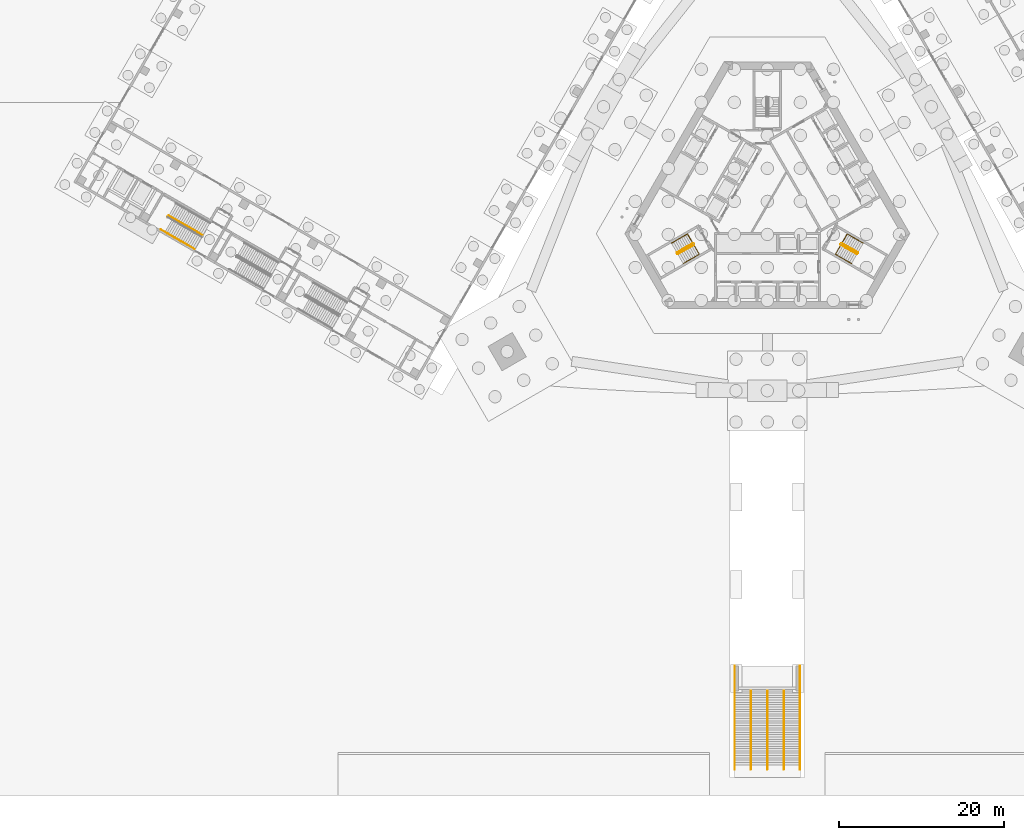
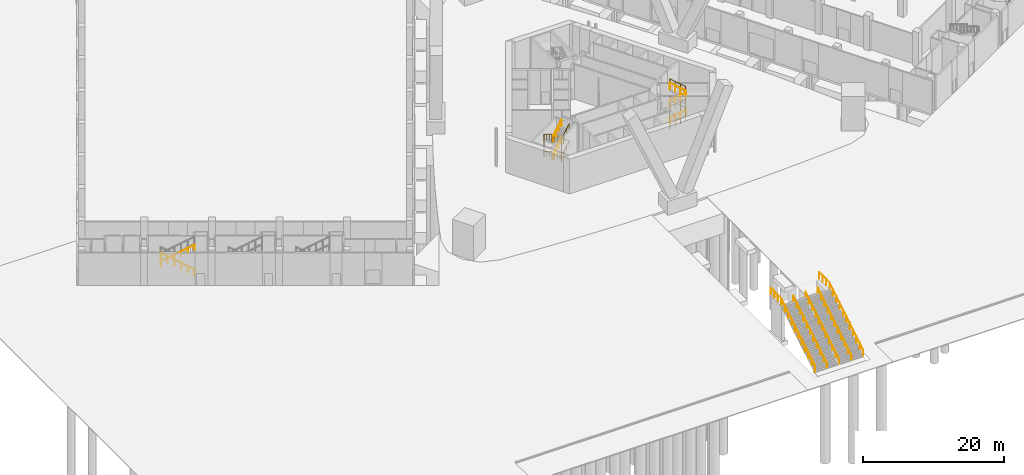
# One storey, part 29 of 38: 17 railings.
"""IFC4 building model written with IfcOpenShell, lengths in metres."""

from ifc_helpers import new_model, si_unit, direction, frame, origin, origin_2d, place, context, subcontext, project, spatial, circle, extrude, material, type_object, element, save


model = new_model("IFC4")

# Units and contexts
model_context = context("Model", 3, precision=1e-05, world=origin(), true_north=direction((0.0, 1.0)))
body_context = subcontext(model_context, "Body", "Model", "MODEL_VIEW")
ifc_project = project(units=[si_unit("LENGTHUNIT", "METRE"), si_unit("AREAUNIT", "SQUARE_METRE"), si_unit("VOLUMEUNIT", "CUBIC_METRE"), si_unit("PLANEANGLEUNIT", "RADIAN"), si_unit("MASSUNIT", "GRAM", prefix="KILO")], contexts=[model_context])

# Site, building, storey
site_placement = place(None, origin())
site = spatial("IfcSite", under=ifc_project, at=site_placement, CompositionType="ELEMENT")
building_placement = place(site_placement, origin())
building = spatial("IfcBuilding", under=site, at=building_placement, Name="Mestral Congress Tower", CompositionType="ELEMENT")
storey_placement = place(building_placement, origin())
storey = spatial("IfcBuildingStorey", under=building, at=storey_placement, Name="L00", CompositionType="ELEMENT", Elevation=0.0)

# Railings
ifc_material_1 = material(Name="Steel balustrade", Category="steel")
railing_type_1 = type_object("IfcRailingType", Name="Podium broad stair guard 1100", PredefinedType="GUARDRAIL", material=ifc_material_1)
railing_1_placement = place(storey_placement, frame((-3.949951171875, -68.80810546875, 0.17138671875)))
element("IfcRailing", 1, at=railing_1_placement, inside=storey, type_object=railing_type_1, Name="Broad stair guard west", PredefinedType="GUARDRAIL", context=body_context, shape_type="SweptSolid", body=[
    extrude(circle(Radius=0.02392578125, at=origin_2d()), frame((0.0, 0.0, 1.076171875), z_axis=(0.0, 0.852850111455, 0.522155807582), x_axis=(-1.0, 0.0, 0.0)), (0.0, 0.0, 1.0), 11.16259765625),
    extrude(circle(Radius=0.02392578125, at=origin_2d()), frame((0.0, 9.52001953125, 6.90478515625), z_axis=(0.0, 1.0, 0.0), x_axis=(-1.0, 0.0, 0.0)), (0.0, 0.0, 1.0), 3.0),
    extrude(circle(Radius=0.02099609375, at=origin_2d()), origin(), (0.0, 0.0, 1.0), 1.052001953125),
    extrude(circle(Radius=0.02099609375, at=origin_2d()), frame((0.0, 0.951904296875, 0.582763671875)), (0.0, 0.0, 1.0), 1.052001953125),
    extrude(circle(Radius=0.02099609375, at=origin_2d()), frame((0.0, 1.904052734375, 1.165771484375)), (0.0, 0.0, 1.0), 1.052001953125),
    extrude(circle(Radius=0.02099609375, at=origin_2d()), frame((0.0, 2.85595703125, 1.74853515625)), (0.0, 0.0, 1.0), 1.052001953125),
    extrude(circle(Radius=0.02099609375, at=origin_2d()), frame((0.0, 3.80810546875, 2.33154296875)), (0.0, 0.0, 1.0), 1.052001953125),
    extrude(circle(Radius=0.02099609375, at=origin_2d()), frame((0.0, 4.760009765625, 2.914306640625)), (0.0, 0.0, 1.0), 1.052001953125),
    extrude(circle(Radius=0.02099609375, at=origin_2d()), frame((0.0, 5.7119140625, 3.4970703125)), (0.0, 0.0, 1.0), 1.052001953125),
    extrude(circle(Radius=0.02099609375, at=origin_2d()), frame((0.0, 6.6640625, 4.080078125)), (0.0, 0.0, 1.0), 1.052001953125),
    extrude(circle(Radius=0.02099609375, at=origin_2d()), frame((0.0, 7.615966796875, 4.662841796875)), (0.0, 0.0, 1.0), 1.052001953125),
    extrude(circle(Radius=0.02099609375, at=origin_2d()), frame((0.0, 8.568115234375, 5.245849609375)), (0.0, 0.0, 1.0), 1.052001953125),
    extrude(circle(Radius=0.02099609375, at=origin_2d()), frame((0.0, 9.52001953125, 5.82861328125)), (0.0, 0.0, 1.0), 1.052001953125),
    extrude(circle(Radius=0.02099609375, at=origin_2d()), frame((0.0, 10.52001953125, 5.82861328125)), (0.0, 0.0, 1.0), 1.052001953125),
    extrude(circle(Radius=0.02099609375, at=origin_2d()), frame((0.0, 11.52001953125, 5.82861328125)), (0.0, 0.0, 1.0), 1.052001953125),
    extrude(circle(Radius=0.02099609375, at=origin_2d()), frame((0.0, 12.52001953125, 5.82861328125)), (0.0, 0.0, 1.0), 1.052001953125),
])
railing_2_placement = place(storey_placement, frame((3.949951171875, -68.80810546875, 0.17138671875)))
element("IfcRailing", 2, at=railing_2_placement, inside=storey, type_object=railing_type_1, Name="Broad stair guard east", PredefinedType="GUARDRAIL", context=body_context, shape_type="SweptSolid", body=[
    extrude(circle(Radius=0.02392578125, at=origin_2d()), frame((0.0, 0.0, 1.076171875), z_axis=(0.0, 0.852850111455, 0.522155807582), x_axis=(-1.0, 0.0, 0.0)), (0.0, 0.0, 1.0), 11.16259765625),
    extrude(circle(Radius=0.02392578125, at=origin_2d()), frame((0.0, 9.52001953125, 6.90478515625), z_axis=(0.0, 1.0, 0.0), x_axis=(-1.0, 0.0, 0.0)), (0.0, 0.0, 1.0), 3.0),
    extrude(circle(Radius=0.02099609375, at=origin_2d()), origin(), (0.0, 0.0, 1.0), 1.052001953125),
    extrude(circle(Radius=0.02099609375, at=origin_2d()), frame((0.0, 0.951904296875, 0.582763671875)), (0.0, 0.0, 1.0), 1.052001953125),
    extrude(circle(Radius=0.02099609375, at=origin_2d()), frame((0.0, 1.904052734375, 1.165771484375)), (0.0, 0.0, 1.0), 1.052001953125),
    extrude(circle(Radius=0.02099609375, at=origin_2d()), frame((0.0, 2.85595703125, 1.74853515625)), (0.0, 0.0, 1.0), 1.052001953125),
    extrude(circle(Radius=0.02099609375, at=origin_2d()), frame((0.0, 3.80810546875, 2.33154296875)), (0.0, 0.0, 1.0), 1.052001953125),
    extrude(circle(Radius=0.02099609375, at=origin_2d()), frame((0.0, 4.760009765625, 2.914306640625)), (0.0, 0.0, 1.0), 1.052001953125),
    extrude(circle(Radius=0.02099609375, at=origin_2d()), frame((0.0, 5.7119140625, 3.4970703125)), (0.0, 0.0, 1.0), 1.052001953125),
    extrude(circle(Radius=0.02099609375, at=origin_2d()), frame((0.0, 6.6640625, 4.080078125)), (0.0, 0.0, 1.0), 1.052001953125),
    extrude(circle(Radius=0.02099609375, at=origin_2d()), frame((0.0, 7.615966796875, 4.662841796875)), (0.0, 0.0, 1.0), 1.052001953125),
    extrude(circle(Radius=0.02099609375, at=origin_2d()), frame((0.0, 8.568115234375, 5.245849609375)), (0.0, 0.0, 1.0), 1.052001953125),
    extrude(circle(Radius=0.02099609375, at=origin_2d()), frame((0.0, 9.52001953125, 5.82861328125)), (0.0, 0.0, 1.0), 1.052001953125),
    extrude(circle(Radius=0.02099609375, at=origin_2d()), frame((0.0, 10.52001953125, 5.82861328125)), (0.0, 0.0, 1.0), 1.052001953125),
    extrude(circle(Radius=0.02099609375, at=origin_2d()), frame((0.0, 11.52001953125, 5.82861328125)), (0.0, 0.0, 1.0), 1.052001953125),
    extrude(circle(Radius=0.02099609375, at=origin_2d()), frame((0.0, 12.52001953125, 5.82861328125)), (0.0, 0.0, 1.0), 1.052001953125),
])
ifc_material_2 = material(Name="Steel handrail", Category="steel")
railing_type_2 = type_object("IfcRailingType", Name="Podium broad stair handrail 900", PredefinedType="HANDRAIL", material=ifc_material_2)
for number, where, name in (
    (3, (-2.0, -68.80810546875, 0.17138671875), "Broad stair handrail"),
    (4, (0.0, -68.80810546875, 0.17138671875), "Broad stair handrail"),
    (5, (2.0, -68.80810546875, 0.17138671875), "Broad stair handrail"),
):
    element("IfcRailing", number, at=place(storey_placement, frame(where)), inside=storey, type_object=railing_type_2, Name=name, PredefinedType="HANDRAIL", context=body_context, shape_type="SweptSolid", body=[
        extrude(circle(Radius=0.02392578125, at=origin_2d()), frame((0.0, 0.0, 0.8759765625), z_axis=(0.0, 0.852850111455, 0.522155807582), x_axis=(-1.0, 0.0, 0.0)), (0.0, 0.0, 1.0), 11.16259765625),
        extrude(circle(Radius=0.02099609375, at=origin_2d()), origin(), (0.0, 0.0, 1.0), 0.851806640625),
        extrude(circle(Radius=0.02099609375, at=origin_2d()), frame((0.0, 0.951904296875, 0.582763671875)), (0.0, 0.0, 1.0), 0.851806640625),
        extrude(circle(Radius=0.02099609375, at=origin_2d()), frame((0.0, 1.904052734375, 1.165771484375)), (0.0, 0.0, 1.0), 0.851806640625),
        extrude(circle(Radius=0.02099609375, at=origin_2d()), frame((0.0, 2.85595703125, 1.74853515625)), (0.0, 0.0, 1.0), 0.851806640625),
        extrude(circle(Radius=0.02099609375, at=origin_2d()), frame((0.0, 3.80810546875, 2.33154296875)), (0.0, 0.0, 1.0), 0.851806640625),
        extrude(circle(Radius=0.02099609375, at=origin_2d()), frame((0.0, 4.760009765625, 2.914306640625)), (0.0, 0.0, 1.0), 0.851806640625),
        extrude(circle(Radius=0.02099609375, at=origin_2d()), frame((0.0, 5.7119140625, 3.4970703125)), (0.0, 0.0, 1.0), 0.851806640625),
        extrude(circle(Radius=0.02099609375, at=origin_2d()), frame((0.0, 6.6640625, 4.080078125)), (0.0, 0.0, 1.0), 0.851806640625),
        extrude(circle(Radius=0.02099609375, at=origin_2d()), frame((0.0, 7.615966796875, 4.662841796875)), (0.0, 0.0, 1.0), 0.851806640625),
        extrude(circle(Radius=0.02099609375, at=origin_2d()), frame((0.0, 8.568115234375, 5.245849609375)), (0.0, 0.0, 1.0), 0.851806640625),
        extrude(circle(Radius=0.02099609375, at=origin_2d()), frame((0.0, 9.52001953125, 5.82861328125)), (0.0, 0.0, 1.0), 0.851806640625),
    ])
railing_type_3 = type_object("IfcRailingType", Name="Podium stair guard 1100", PredefinedType="GUARDRAIL", material=ifc_material_1)
railing_3_placement = place(storey_placement, frame((-68.392578125, -4.103515625, 0.166748046875)))
element("IfcRailing", 6, at=railing_3_placement, inside=storey, type_object=railing_type_3, Name="L00 PS-W6 stair guard 1", PredefinedType="GUARDRAIL", context=body_context, shape_type="SweptSolid", body=[
    extrude(circle(Radius=0.02392578125, at=origin_2d()), frame((0.0, 0.0, 1.076171875), z_axis=(-0.744170432188, 0.42966642247, 0.511465671634), x_axis=(-0.5000169524, -0.866015616091, 0.0)), (0.0, 0.0, 1.0), 5.53955078125),
    extrude(circle(Radius=0.02392578125, at=origin_2d()), frame((-4.122314453125, 2.380126953125, 3.9091796875), z_axis=(-0.695164929852, -0.718850276695, 0.0), x_axis=(0.718850276695, -0.695164929852, 0.0)), (0.0, 0.0, 1.0), 0.2060546875),
    extrude(circle(Radius=0.02099609375, at=origin_2d()), origin(), (0.0, 0.0, 1.0), 1.052001953125),
    extrude(circle(Radius=0.02099609375, at=origin_2d()), frame((-0.824462890625, 0.47607421875, 0.566650390625)), (0.0, 0.0, 1.0), 1.052001953125),
    extrude(circle(Radius=0.02099609375, at=origin_2d()), frame((-1.64892578125, 0.9521484375, 1.13330078125)), (0.0, 0.0, 1.0), 1.052001953125),
    extrude(circle(Radius=0.02099609375, at=origin_2d()), frame((-2.473388671875, 1.427978515625, 1.699951171875)), (0.0, 0.0, 1.0), 1.052001953125),
    extrude(circle(Radius=0.02099609375, at=origin_2d()), frame((-3.2978515625, 1.904052734375, 2.2666015625)), (0.0, 0.0, 1.0), 1.052001953125),
    extrude(circle(Radius=0.02099609375, at=origin_2d()), frame((-4.122314453125, 2.380126953125, 2.833251953125)), (0.0, 0.0, 1.0), 1.052001953125),
    extrude(circle(Radius=0.02099609375, at=origin_2d()), frame((-4.265625, 2.23193359375, 2.833251953125)), (0.0, 0.0, 1.0), 1.052001953125),
])
railing_type_4 = type_object("IfcRailingType", Name="Podium stair handrail 900", PredefinedType="HANDRAIL", material=ifc_material_2)
railing_4_placement = place(storey_placement, frame((-73.48974609375, -3.412109375, 3.166748046875)))
element("IfcRailing", 7, at=railing_4_placement, inside=storey, type_object=railing_type_4, Name="L00 PS-W6 stair handrail 2", PredefinedType="HANDRAIL", context=body_context, shape_type="SweptSolid", body=[
    extrude(circle(Radius=0.02392578125, at=origin_2d()), frame((0.0, 0.0, 0.8759765625), z_axis=(0.744170432188, -0.42966642247, 0.511465671634), x_axis=(0.5000169524, 0.866015616091, 0.0)), (0.0, 0.0, 1.0), 5.53955078125),
    extrude(circle(Radius=0.02099609375, at=origin_2d()), origin(), (0.0, 0.0, 1.0), 0.851806640625),
    extrude(circle(Radius=0.02099609375, at=origin_2d()), frame((0.824462890625, -0.47607421875, 0.566650390625)), (0.0, 0.0, 1.0), 0.851806640625),
    extrude(circle(Radius=0.02099609375, at=origin_2d()), frame((1.64892578125, -0.9521484375, 1.13330078125)), (0.0, 0.0, 1.0), 0.851806640625),
    extrude(circle(Radius=0.02099609375, at=origin_2d()), frame((2.473388671875, -1.427978515625, 1.699951171875)), (0.0, 0.0, 1.0), 0.851806640625),
    extrude(circle(Radius=0.02099609375, at=origin_2d()), frame((3.2978515625, -1.904052734375, 2.2666015625)), (0.0, 0.0, 1.0), 0.851806640625),
    extrude(circle(Radius=0.02099609375, at=origin_2d()), frame((4.122314453125, -2.380126953125, 2.833251953125)), (0.0, 0.0, 1.0), 0.851806640625),
])
railing_type_5 = type_object("IfcRailingType", Name="Stair guard 1100", PredefinedType="GUARDRAIL", material=ifc_material_1)
railing_5_placement = place(storey_placement, frame((8.90087890625, -5.283203125, 0.166748046875)))
element("IfcRailing", 8, at=railing_5_placement, inside=storey, type_object=railing_type_5, Name="L00 ST1 stair guard 1", PredefinedType="GUARDRAIL", context=body_context, shape_type="SweptSolid", body=[
    extrude(circle(Radius=0.02392578125, at=origin_2d()), frame((0.0, 0.0, 1.076171875), z_axis=(0.744174592847, -0.429684499369, 0.511444431354), x_axis=(0.500030632641, 0.866007717299, 0.0)), (0.0, 0.0, 1.0), 2.60693359375),
    extrude(circle(Radius=0.02392578125, at=origin_2d()), frame((1.93994140625, -1.1201171875, 2.4091796875), z_axis=(0.695164929852, 0.718850276695, 0.0), x_axis=(-0.718850276695, 0.695164929852, 0.0)), (0.0, 0.0, 1.0), 0.2060546875),
    extrude(circle(Radius=0.02099609375, at=origin_2d()), origin(), (0.0, 0.0, 1.0), 1.052001953125),
    extrude(circle(Radius=0.02099609375, at=origin_2d()), frame((0.646728515625, -0.373291015625, 0.4443359375)), (0.0, 0.0, 1.0), 1.052001953125),
    extrude(circle(Radius=0.02099609375, at=origin_2d()), frame((1.293212890625, -0.746826171875, 0.888916015625)), (0.0, 0.0, 1.0), 1.052001953125),
    extrude(circle(Radius=0.02099609375, at=origin_2d()), frame((1.93994140625, -1.1201171875, 1.333251953125)), (0.0, 0.0, 1.0), 1.052001953125),
    extrude(circle(Radius=0.02099609375, at=origin_2d()), frame((2.083251953125, -0.971923828125, 1.333251953125)), (0.0, 0.0, 1.0), 1.052001953125),
])
railing_6_placement = place(storey_placement, frame((10.9658203125, -6.186767578125, 1.666748046875)))
element("IfcRailing", 9, at=railing_6_placement, inside=storey, type_object=railing_type_5, Name="L00 ST1 stair guard 2", PredefinedType="GUARDRAIL", context=body_context, shape_type="SweptSolid", body=[
    extrude(circle(Radius=0.02392578125, at=origin_2d()), frame((0.0, 0.0, 1.076171875), z_axis=(-0.744174592847, 0.429684499369, 0.511444431354), x_axis=(-0.500030632641, -0.866007717299, 0.0)), (0.0, 0.0, 1.0), 2.60693359375),
    extrude(circle(Radius=0.02392578125, at=origin_2d()), frame((-1.93994140625, 1.1201171875, 2.4091796875), z_axis=(-0.965948051503, -0.258736085224, 0.0), x_axis=(0.258736085224, -0.965948051503, 0.0)), (0.0, 0.0, 1.0), 0.07080078125),
    extrude(circle(Radius=0.02392578125, at=origin_2d()), frame((-2.00830078125, 1.101806640625, 2.4091796875), z_axis=(-0.499816412211, -0.866131372301, 0.0), x_axis=(0.866131372301, -0.499816412211, 0.0)), (0.0, 0.0, 1.0), 0.14990234375),
    extrude(circle(Radius=0.02099609375, at=origin_2d()), origin(), (0.0, 0.0, 1.0), 1.052001953125),
    extrude(circle(Radius=0.02099609375, at=origin_2d()), frame((-0.646728515625, 0.373291015625, 0.4443359375)), (0.0, 0.0, 1.0), 1.052001953125),
    extrude(circle(Radius=0.02099609375, at=origin_2d()), frame((-1.293212890625, 0.746826171875, 0.888916015625)), (0.0, 0.0, 1.0), 1.052001953125),
    extrude(circle(Radius=0.02099609375, at=origin_2d()), frame((-1.93994140625, 1.1201171875, 1.333251953125)), (0.0, 0.0, 1.0), 1.052001953125),
    extrude(circle(Radius=0.02099609375, at=origin_2d()), frame((-2.00830078125, 1.101806640625, 1.333251953125)), (0.0, 0.0, 1.0), 1.052001953125),
    extrude(circle(Radius=0.02099609375, at=origin_2d()), frame((-2.083251953125, 0.971923828125, 1.333251953125)), (0.0, 0.0, 1.0), 1.052001953125),
])
railing_7_placement = place(storey_placement, frame((8.90087890625, -5.283203125, 3.166748046875)))
element("IfcRailing", 10, at=railing_7_placement, inside=storey, type_object=railing_type_5, Name="L00 ST1 stair guard 3", PredefinedType="GUARDRAIL", context=body_context, shape_type="SweptSolid", body=[
    extrude(circle(Radius=0.02392578125, at=origin_2d()), frame((0.0, 0.0, 1.076171875), z_axis=(0.744174592847, -0.429684499369, 0.511444431354), x_axis=(0.500030632641, 0.866007717299, 0.0)), (0.0, 0.0, 1.0), 2.60693359375),
    extrude(circle(Radius=0.02392578125, at=origin_2d()), frame((1.93994140625, -1.1201171875, 2.4091796875), z_axis=(0.695164929852, 0.718850276695, 0.0), x_axis=(-0.718850276695, 0.695164929852, 0.0)), (0.0, 0.0, 1.0), 0.2060546875),
    extrude(circle(Radius=0.02099609375, at=origin_2d()), origin(), (0.0, 0.0, 1.0), 1.052001953125),
    extrude(circle(Radius=0.02099609375, at=origin_2d()), frame((0.646728515625, -0.373291015625, 0.4443359375)), (0.0, 0.0, 1.0), 1.052001953125),
    extrude(circle(Radius=0.02099609375, at=origin_2d()), frame((1.293212890625, -0.746826171875, 0.888916015625)), (0.0, 0.0, 1.0), 1.052001953125),
    extrude(circle(Radius=0.02099609375, at=origin_2d()), frame((1.93994140625, -1.1201171875, 1.333251953125)), (0.0, 0.0, 1.0), 1.052001953125),
    extrude(circle(Radius=0.02099609375, at=origin_2d()), frame((2.083251953125, -0.971923828125, 1.333251953125)), (0.0, 0.0, 1.0), 1.052001953125),
])
railing_8_placement = place(storey_placement, frame((10.9658203125, -6.186767578125, 4.666748046875)))
element("IfcRailing", 11, at=railing_8_placement, inside=storey, type_object=railing_type_5, Name="L00 ST1 stair guard 4", PredefinedType="GUARDRAIL", context=body_context, shape_type="SweptSolid", body=[
    extrude(circle(Radius=0.02392578125, at=origin_2d()), frame((0.0, 0.0, 1.076171875), z_axis=(-0.744174592847, 0.429684499369, 0.511444431354), x_axis=(-0.500030632641, -0.866007717299, 0.0)), (0.0, 0.0, 1.0), 2.60693359375),
    extrude(circle(Radius=0.02099609375, at=origin_2d()), origin(), (0.0, 0.0, 1.0), 1.052001953125),
    extrude(circle(Radius=0.02099609375, at=origin_2d()), frame((-0.646728515625, 0.373291015625, 0.4443359375)), (0.0, 0.0, 1.0), 1.052001953125),
    extrude(circle(Radius=0.02099609375, at=origin_2d()), frame((-1.293212890625, 0.746826171875, 0.888916015625)), (0.0, 0.0, 1.0), 1.052001953125),
    extrude(circle(Radius=0.02099609375, at=origin_2d()), frame((-1.93994140625, 1.1201171875, 1.333251953125)), (0.0, 0.0, 1.0), 1.052001953125),
])
railing_9_placement = place(storey_placement, frame((-9.02587890625, -5.066650390625, 0.166748046875)))
element("IfcRailing", 12, at=railing_9_placement, inside=storey, type_object=railing_type_5, Name="L00 ST3 stair guard 1", PredefinedType="GUARDRAIL", context=body_context, shape_type="SweptSolid", body=[
    extrude(circle(Radius=0.02392578125, at=origin_2d()), frame((0.0, 0.0, 1.076171875), z_axis=(-0.744174592847, -0.429684499369, 0.511444431354), x_axis=(0.500030632641, -0.866007717299, 0.0)), (0.0, 0.0, 1.0), 2.60693359375),
    extrude(circle(Radius=0.02392578125, at=origin_2d()), frame((-1.93994140625, -1.1201171875, 2.4091796875), z_axis=(0.274721127897, -0.961523947641, 0.0), x_axis=(0.961523947641, 0.274721127897, 0.0)), (0.0, 0.0, 1.0), 0.2060546875),
    extrude(circle(Radius=0.02099609375, at=origin_2d()), origin(), (0.0, 0.0, 1.0), 1.052001953125),
    extrude(circle(Radius=0.02099609375, at=origin_2d()), frame((-0.646728515625, -0.373291015625, 0.4443359375)), (0.0, 0.0, 1.0), 1.052001953125),
    extrude(circle(Radius=0.02099609375, at=origin_2d()), frame((-1.293212890625, -0.746826171875, 0.888916015625)), (0.0, 0.0, 1.0), 1.052001953125),
    extrude(circle(Radius=0.02099609375, at=origin_2d()), frame((-1.93994140625, -1.1201171875, 1.333251953125)), (0.0, 0.0, 1.0), 1.052001953125),
    extrude(circle(Radius=0.02099609375, at=origin_2d()), frame((-1.88330078125, -1.318359375, 1.333251953125)), (0.0, 0.0, 1.0), 1.052001953125),
])
railing_10_placement = place(storey_placement, frame((-10.8408203125, -6.4033203125, 1.666748046875)))
element("IfcRailing", 13, at=railing_10_placement, inside=storey, type_object=railing_type_5, Name="L00 ST3 stair guard 2", PredefinedType="GUARDRAIL", context=body_context, shape_type="SweptSolid", body=[
    extrude(circle(Radius=0.02392578125, at=origin_2d()), frame((0.0, 0.0, 1.076171875), z_axis=(0.744174592847, 0.429684499369, 0.511444431354), x_axis=(-0.500030632641, 0.866007717299, 0.0)), (0.0, 0.0, 1.0), 2.60693359375),
    extrude(circle(Radius=0.02392578125, at=origin_2d()), frame((1.93994140625, 1.1201171875, 2.4091796875), z_axis=(0.258736085224, 0.965948051503, 0.0), x_axis=(-0.965948051503, 0.258736085224, 0.0)), (0.0, 0.0, 1.0), 0.07080078125),
    extrude(circle(Radius=0.02392578125, at=origin_2d()), frame((1.958251953125, 1.1884765625, 2.4091796875), z_axis=(-0.499816412211, 0.866131372301, 0.0), x_axis=(-0.866131372301, -0.499816412211, 0.0)), (0.0, 0.0, 1.0), 0.14990234375),
    extrude(circle(Radius=0.02099609375, at=origin_2d()), origin(), (0.0, 0.0, 1.0), 1.052001953125),
    extrude(circle(Radius=0.02099609375, at=origin_2d()), frame((0.646728515625, 0.373291015625, 0.4443359375)), (0.0, 0.0, 1.0), 1.052001953125),
    extrude(circle(Radius=0.02099609375, at=origin_2d()), frame((1.293212890625, 0.746826171875, 0.888916015625)), (0.0, 0.0, 1.0), 1.052001953125),
    extrude(circle(Radius=0.02099609375, at=origin_2d()), frame((1.93994140625, 1.1201171875, 1.333251953125)), (0.0, 0.0, 1.0), 1.052001953125),
    extrude(circle(Radius=0.02099609375, at=origin_2d()), frame((1.958251953125, 1.1884765625, 1.333251953125)), (0.0, 0.0, 1.0), 1.052001953125),
    extrude(circle(Radius=0.02099609375, at=origin_2d()), frame((1.88330078125, 1.318359375, 1.333251953125)), (0.0, 0.0, 1.0), 1.052001953125),
])
railing_11_placement = place(storey_placement, frame((-9.02587890625, -5.066650390625, 3.166748046875)))
element("IfcRailing", 14, at=railing_11_placement, inside=storey, type_object=railing_type_5, Name="L00 ST3 stair guard 3", PredefinedType="GUARDRAIL", context=body_context, shape_type="SweptSolid", body=[
    extrude(circle(Radius=0.02392578125, at=origin_2d()), frame((0.0, 0.0, 1.076171875), z_axis=(-0.744174592847, -0.429684499369, 0.511444431354), x_axis=(0.500030632641, -0.866007717299, 0.0)), (0.0, 0.0, 1.0), 2.60693359375),
    extrude(circle(Radius=0.02392578125, at=origin_2d()), frame((-1.93994140625, -1.1201171875, 2.4091796875), z_axis=(0.274721127897, -0.961523947641, 0.0), x_axis=(0.961523947641, 0.274721127897, 0.0)), (0.0, 0.0, 1.0), 0.2060546875),
    extrude(circle(Radius=0.02099609375, at=origin_2d()), origin(), (0.0, 0.0, 1.0), 1.052001953125),
    extrude(circle(Radius=0.02099609375, at=origin_2d()), frame((-0.646728515625, -0.373291015625, 0.4443359375)), (0.0, 0.0, 1.0), 1.052001953125),
    extrude(circle(Radius=0.02099609375, at=origin_2d()), frame((-1.293212890625, -0.746826171875, 0.888916015625)), (0.0, 0.0, 1.0), 1.052001953125),
    extrude(circle(Radius=0.02099609375, at=origin_2d()), frame((-1.93994140625, -1.1201171875, 1.333251953125)), (0.0, 0.0, 1.0), 1.052001953125),
    extrude(circle(Radius=0.02099609375, at=origin_2d()), frame((-1.88330078125, -1.318359375, 1.333251953125)), (0.0, 0.0, 1.0), 1.052001953125),
])
railing_12_placement = place(storey_placement, frame((-10.8408203125, -6.4033203125, 4.666748046875)))
element("IfcRailing", 15, at=railing_12_placement, inside=storey, type_object=railing_type_5, Name="L00 ST3 stair guard 4", PredefinedType="GUARDRAIL", context=body_context, shape_type="SweptSolid", body=[
    extrude(circle(Radius=0.02392578125, at=origin_2d()), frame((0.0, 0.0, 1.076171875), z_axis=(0.744174592847, 0.429684499369, 0.511444431354), x_axis=(-0.500030632641, 0.866007717299, 0.0)), (0.0, 0.0, 1.0), 2.60693359375),
    extrude(circle(Radius=0.02099609375, at=origin_2d()), origin(), (0.0, 0.0, 1.0), 1.052001953125),
    extrude(circle(Radius=0.02099609375, at=origin_2d()), frame((0.646728515625, 0.373291015625, 0.4443359375)), (0.0, 0.0, 1.0), 1.052001953125),
    extrude(circle(Radius=0.02099609375, at=origin_2d()), frame((1.293212890625, 0.746826171875, 0.888916015625)), (0.0, 0.0, 1.0), 1.052001953125),
    extrude(circle(Radius=0.02099609375, at=origin_2d()), frame((1.93994140625, 1.1201171875, 1.333251953125)), (0.0, 0.0, 1.0), 1.052001953125),
])
railing_type_6 = type_object("IfcRailingType", Name="Stair handrail 900", PredefinedType="HANDRAIL", material=ifc_material_2)
railing_13_placement = place(storey_placement, frame((8.2509765625, -6.4091796875, 0.166748046875)))
element("IfcRailing", 16, at=railing_13_placement, inside=storey, type_object=railing_type_6, Name="L00 ST1 stair handrail 1", PredefinedType="HANDRAIL", context=body_context, shape_type="SweptSolid", body=[
    extrude(circle(Radius=0.02392578125, at=origin_2d()), frame((0.0, 0.0, 0.8759765625), z_axis=(0.74416274754, -0.429638077151, 0.511500662595), x_axis=(0.49999608499, 0.866027664105, 0.0)), (0.0, 0.0, 1.0), 2.6064453125),
    extrude(circle(Radius=0.02392578125, at=origin_2d()), frame((1.939697265625, -1.119873046875, 2.208984375), z_axis=(0.0, 0.0, 1.0), x_axis=(1.0, 0.0, 0.0)), (0.0, 0.0, 1.0), 3.0),
    extrude(circle(Radius=0.02392578125, at=origin_2d()), frame((1.939697265625, -1.119873046875, 5.208984375), z_axis=(-0.74416274754, 0.429638077151, -0.511500662595), x_axis=(-0.49999608499, -0.866027664105, 0.0)), (0.0, 0.0, 1.0), 2.6064453125),
    extrude(circle(Radius=0.02392578125, at=origin_2d()), frame((0.0, 0.0, 3.8759765625), z_axis=(0.499081520313, 0.86458433351, -0.058408615211), x_axis=(-0.866062911188, 0.499935029643, 0.0)), (0.0, 0.0, 1.0), 2.854736328125),
    extrude(circle(Radius=0.02392578125, at=origin_2d()), frame((1.4248046875, 2.46826171875, 3.708984375), z_axis=(0.744174592847, -0.429684499369, -0.511444431354), x_axis=(0.500030632641, 0.866007717299, 0.0)), (0.0, 0.0, 1.0), 2.60693359375),
    extrude(circle(Radius=0.02392578125, at=origin_2d()), frame((3.36474609375, 1.34814453125, 2.3759765625), z_axis=(0.0, 0.0, 1.0), x_axis=(1.0, 0.0, 0.0)), (0.0, 0.0, 1.0), 3.0),
    extrude(circle(Radius=0.02392578125, at=origin_2d()), frame((3.36474609375, 1.34814453125, 5.3759765625), z_axis=(-0.744174592847, 0.429684499369, 0.511444431354), x_axis=(-0.500030632641, -0.866007717299, 0.0)), (0.0, 0.0, 1.0), 2.60693359375),
    extrude(circle(Radius=0.02099609375, at=origin_2d()), origin(), (0.0, 0.0, 1.0), 0.851806640625),
    extrude(circle(Radius=0.02099609375, at=origin_2d()), frame((0.646484375, -0.373291015625, 0.4443359375)), (0.0, 0.0, 1.0), 0.851806640625),
    extrude(circle(Radius=0.02099609375, at=origin_2d()), frame((1.293212890625, -0.74658203125, 0.888916015625)), (0.0, 0.0, 1.0), 0.851806640625),
    extrude(circle(Radius=0.02099609375, at=origin_2d()), frame((1.939697265625, -1.119873046875, 1.333251953125)), (0.0, 0.0, 1.0), 0.851806640625),
    extrude(circle(Radius=0.02099609375, at=origin_2d()), frame((1.939697265625, -1.119873046875, 2.333251953125)), (0.0, 0.0, 1.0), 0.851806640625),
    extrude(circle(Radius=0.02099609375, at=origin_2d()), frame((1.939697265625, -1.119873046875, 3.333251953125)), (0.0, 0.0, 1.0), 0.851806640625),
    extrude(circle(Radius=0.02099609375, at=origin_2d()), frame((1.939697265625, -1.119873046875, 4.333251953125)), (0.0, 0.0, 1.0), 0.851806640625),
    extrude(circle(Radius=0.02099609375, at=origin_2d()), frame((1.293212890625, -0.74658203125, 3.888916015625)), (0.0, 0.0, 1.0), 0.851806640625),
    extrude(circle(Radius=0.02099609375, at=origin_2d()), frame((0.646484375, -0.373291015625, 3.4443359375)), (0.0, 0.0, 1.0), 0.851806640625),
    extrude(circle(Radius=0.02099609375, at=origin_2d()), frame((0.0, 0.0, 3.0)), (0.0, 0.0, 1.0), 0.851806640625),
    extrude(circle(Radius=0.02099609375, at=origin_2d()), frame((0.474853515625, 0.82275390625, 2.9443359375)), (0.0, 0.0, 1.0), 0.851806640625),
    extrude(circle(Radius=0.02099609375, at=origin_2d()), frame((0.949951171875, 1.6455078125, 2.888916015625)), (0.0, 0.0, 1.0), 0.851806640625),
    extrude(circle(Radius=0.02099609375, at=origin_2d()), frame((1.4248046875, 2.46826171875, 2.833251953125)), (0.0, 0.0, 1.0), 0.851806640625),
    extrude(circle(Radius=0.02099609375, at=origin_2d()), frame((2.071533203125, 2.094970703125, 2.388916015625)), (0.0, 0.0, 1.0), 0.851806640625),
    extrude(circle(Radius=0.02099609375, at=origin_2d()), frame((2.718017578125, 1.721435546875, 1.9443359375)), (0.0, 0.0, 1.0), 0.851806640625),
    extrude(circle(Radius=0.02099609375, at=origin_2d()), frame((3.36474609375, 1.34814453125, 1.5)), (0.0, 0.0, 1.0), 0.851806640625),
    extrude(circle(Radius=0.02099609375, at=origin_2d()), frame((3.36474609375, 1.34814453125, 2.5)), (0.0, 0.0, 1.0), 0.851806640625),
    extrude(circle(Radius=0.02099609375, at=origin_2d()), frame((3.36474609375, 1.34814453125, 3.5)), (0.0, 0.0, 1.0), 0.851806640625),
    extrude(circle(Radius=0.02099609375, at=origin_2d()), frame((3.36474609375, 1.34814453125, 4.5)), (0.0, 0.0, 1.0), 0.851806640625),
    extrude(circle(Radius=0.02099609375, at=origin_2d()), frame((2.718017578125, 1.721435546875, 4.9443359375)), (0.0, 0.0, 1.0), 0.851806640625),
    extrude(circle(Radius=0.02099609375, at=origin_2d()), frame((2.071533203125, 2.094970703125, 5.388916015625)), (0.0, 0.0, 1.0), 0.851806640625),
    extrude(circle(Radius=0.02099609375, at=origin_2d()), frame((1.4248046875, 2.46826171875, 5.833251953125)), (0.0, 0.0, 1.0), 0.851806640625),
])
railing_14_placement = place(storey_placement, frame((-9.67578125, -3.94091796875, 0.166748046875)))
element("IfcRailing", 17, at=railing_14_placement, inside=storey, type_object=railing_type_6, Name="L00 ST3 stair handrail 1", PredefinedType="HANDRAIL", context=body_context, shape_type="SweptSolid", body=[
    extrude(circle(Radius=0.02392578125, at=origin_2d()), frame((0.0, 0.0, 0.8759765625), z_axis=(-0.744174592847, -0.429684499369, 0.511444431354), x_axis=(0.500030632641, -0.866007717299, 0.0)), (0.0, 0.0, 1.0), 2.60693359375),
    extrude(circle(Radius=0.02392578125, at=origin_2d()), frame((-1.93994140625, -1.1201171875, 2.208984375), z_axis=(0.0, 0.0, 1.0), x_axis=(1.0, 0.0, 0.0)), (0.0, 0.0, 1.0), 3.0),
    extrude(circle(Radius=0.02392578125, at=origin_2d()), frame((-1.93994140625, -1.1201171875, 5.208984375), z_axis=(0.744174592847, 0.429684499369, -0.511444431354), x_axis=(-0.500030632641, 0.866007717299, 0.0)), (0.0, 0.0, 1.0), 2.60693359375),
    extrude(circle(Radius=0.02392578125, at=origin_2d()), frame((0.0, 0.0, 3.8759765625), z_axis=(0.499081520313, -0.86458433351, -0.058408615211), x_axis=(0.866062911188, 0.499935029643, 0.0)), (0.0, 0.0, 1.0), 2.854736328125),
    extrude(circle(Radius=0.02392578125, at=origin_2d()), frame((1.4248046875, -2.46826171875, 3.708984375), z_axis=(-0.74416274754, -0.429638077151, -0.511500662595), x_axis=(0.49999608499, -0.866027664105, 0.0)), (0.0, 0.0, 1.0), 2.6064453125),
    extrude(circle(Radius=0.02392578125, at=origin_2d()), frame((-0.514892578125, -3.588134765625, 2.3759765625), z_axis=(0.0, 0.0, 1.0), x_axis=(1.0, 0.0, 0.0)), (0.0, 0.0, 1.0), 3.0),
    extrude(circle(Radius=0.02392578125, at=origin_2d()), frame((-0.514892578125, -3.588134765625, 5.3759765625), z_axis=(0.74416274754, 0.429638077151, 0.511500662595), x_axis=(-0.49999608499, 0.866027664105, 0.0)), (0.0, 0.0, 1.0), 2.6064453125),
    extrude(circle(Radius=0.02099609375, at=origin_2d()), origin(), (0.0, 0.0, 1.0), 0.851806640625),
    extrude(circle(Radius=0.02099609375, at=origin_2d()), frame((-0.646728515625, -0.373291015625, 0.4443359375)), (0.0, 0.0, 1.0), 0.851806640625),
    extrude(circle(Radius=0.02099609375, at=origin_2d()), frame((-1.293212890625, -0.746826171875, 0.888916015625)), (0.0, 0.0, 1.0), 0.851806640625),
    extrude(circle(Radius=0.02099609375, at=origin_2d()), frame((-1.93994140625, -1.1201171875, 1.333251953125)), (0.0, 0.0, 1.0), 0.851806640625),
    extrude(circle(Radius=0.02099609375, at=origin_2d()), frame((-1.93994140625, -1.1201171875, 2.333251953125)), (0.0, 0.0, 1.0), 0.851806640625),
    extrude(circle(Radius=0.02099609375, at=origin_2d()), frame((-1.93994140625, -1.1201171875, 3.333251953125)), (0.0, 0.0, 1.0), 0.851806640625),
    extrude(circle(Radius=0.02099609375, at=origin_2d()), frame((-1.93994140625, -1.1201171875, 4.333251953125)), (0.0, 0.0, 1.0), 0.851806640625),
    extrude(circle(Radius=0.02099609375, at=origin_2d()), frame((-1.293212890625, -0.746826171875, 3.888916015625)), (0.0, 0.0, 1.0), 0.851806640625),
    extrude(circle(Radius=0.02099609375, at=origin_2d()), frame((-0.646728515625, -0.373291015625, 3.4443359375)), (0.0, 0.0, 1.0), 0.851806640625),
    extrude(circle(Radius=0.02099609375, at=origin_2d()), frame((0.0, 0.0, 3.0)), (0.0, 0.0, 1.0), 0.851806640625),
    extrude(circle(Radius=0.02099609375, at=origin_2d()), frame((0.474853515625, -0.82275390625, 2.9443359375)), (0.0, 0.0, 1.0), 0.851806640625),
    extrude(circle(Radius=0.02099609375, at=origin_2d()), frame((0.949951171875, -1.6455078125, 2.888916015625)), (0.0, 0.0, 1.0), 0.851806640625),
    extrude(circle(Radius=0.02099609375, at=origin_2d()), frame((1.4248046875, -2.46826171875, 2.833251953125)), (0.0, 0.0, 1.0), 0.851806640625),
    extrude(circle(Radius=0.02099609375, at=origin_2d()), frame((0.7783203125, -2.841552734375, 2.388916015625)), (0.0, 0.0, 1.0), 0.851806640625),
    extrude(circle(Radius=0.02099609375, at=origin_2d()), frame((0.131591796875, -3.21484375, 1.9443359375)), (0.0, 0.0, 1.0), 0.851806640625),
    extrude(circle(Radius=0.02099609375, at=origin_2d()), frame((-0.514892578125, -3.588134765625, 1.5)), (0.0, 0.0, 1.0), 0.851806640625),
    extrude(circle(Radius=0.02099609375, at=origin_2d()), frame((-0.514892578125, -3.588134765625, 2.5)), (0.0, 0.0, 1.0), 0.851806640625),
    extrude(circle(Radius=0.02099609375, at=origin_2d()), frame((-0.514892578125, -3.588134765625, 3.5)), (0.0, 0.0, 1.0), 0.851806640625),
    extrude(circle(Radius=0.02099609375, at=origin_2d()), frame((-0.514892578125, -3.588134765625, 4.5)), (0.0, 0.0, 1.0), 0.851806640625),
    extrude(circle(Radius=0.02099609375, at=origin_2d()), frame((0.131591796875, -3.21484375, 4.9443359375)), (0.0, 0.0, 1.0), 0.851806640625),
    extrude(circle(Radius=0.02099609375, at=origin_2d()), frame((0.7783203125, -2.841552734375, 5.388916015625)), (0.0, 0.0, 1.0), 0.851806640625),
    extrude(circle(Radius=0.02099609375, at=origin_2d()), frame((1.4248046875, -2.46826171875, 5.833251953125)), (0.0, 0.0, 1.0), 0.851806640625),
])

save(model, "model.ifc")
